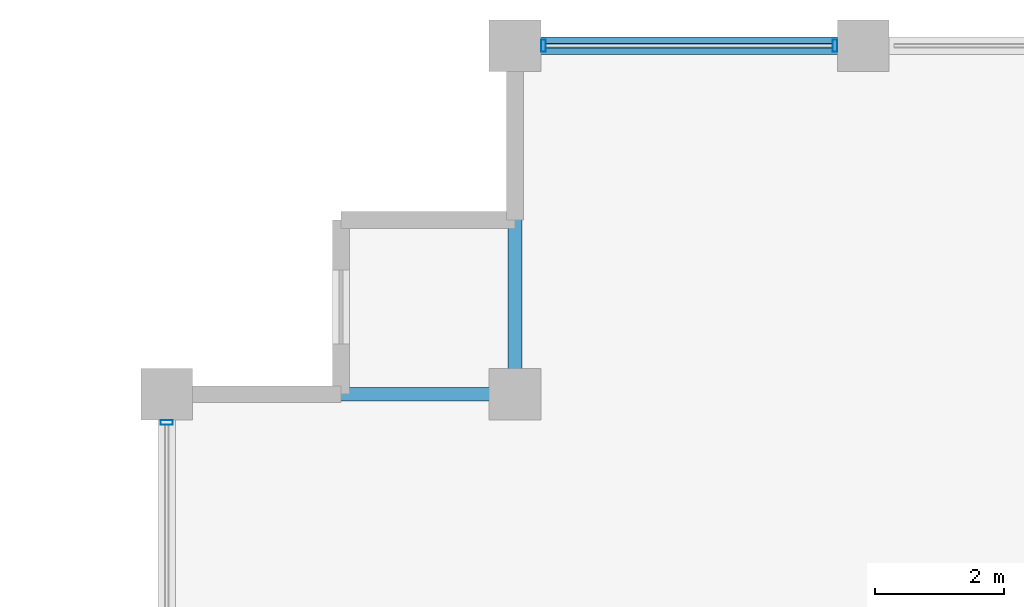
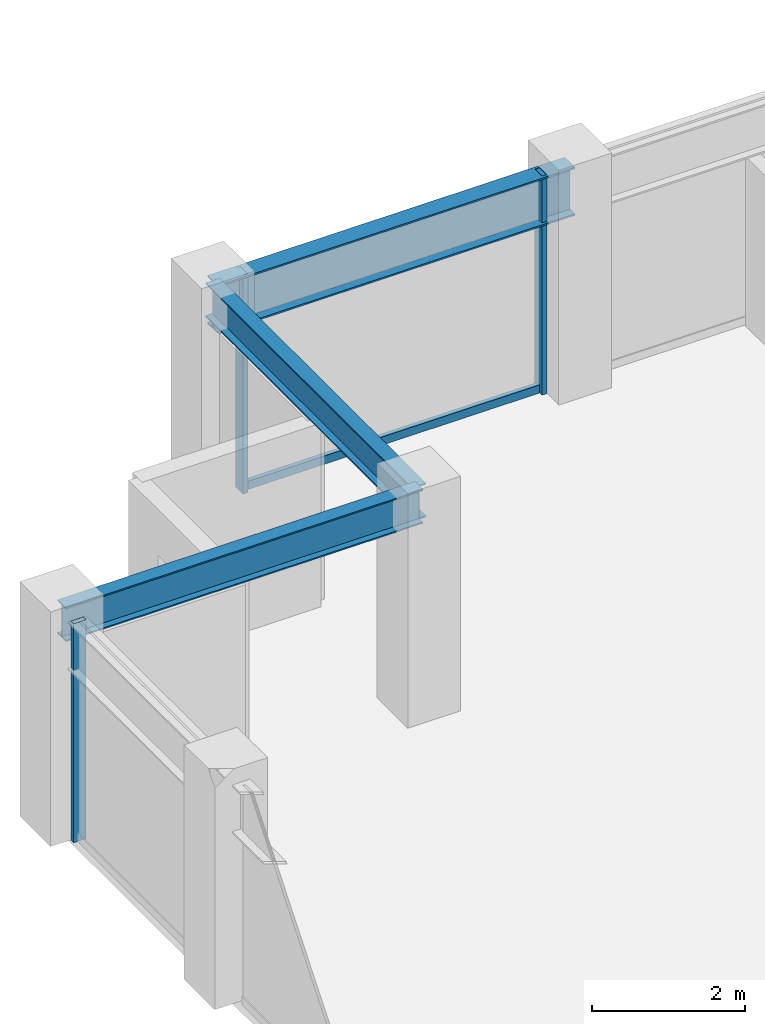
# One storey, part 15 of 28: 4 members, 3 beams, 2 elements without a shape of their own.
"""IFC4 building model written with IfcOpenShell, lengths in metres."""

from ifc_helpers import new_model, si_unit, direction, frame, origin, origin_2d, place, context, subcontext, project, spatial, hollow_rectangle, i_section, extrude, material, layer, layer_set, material_profile, profile_set, type_object, element, aggregate, save


model = new_model("IFC4")

# Units and contexts
model_context = context("Model", 3, precision=1e-05, world=origin(), true_north=direction((0.0, 1.0)))
body_context = subcontext(model_context, "Body", "Model", "MODEL_VIEW")
ifc_project = project(units=[si_unit("LENGTHUNIT", "METRE"), si_unit("AREAUNIT", "SQUARE_METRE"), si_unit("VOLUMEUNIT", "CUBIC_METRE"), si_unit("PLANEANGLEUNIT", "RADIAN"), si_unit("MASSUNIT", "GRAM", prefix="KILO")], contexts=[model_context])

# Site, building, storey
site_placement = place(None, origin())
site = spatial("IfcSite", under=ifc_project, at=site_placement, CompositionType="ELEMENT")
building_placement = place(site_placement, origin())
building = spatial("IfcBuilding", under=site, at=building_placement, Name="Surkhivell Harbour Commons", CompositionType="ELEMENT")
storey_placement = place(building_placement, frame((0.0, 0.0, 246.0)))
storey = spatial("IfcBuildingStorey", under=building, at=storey_placement, Name="L64", CompositionType="ELEMENT", Elevation=246.0)

# Beams
ifc_material_1 = material(Name="Steel S355", Category="steel")
ifc_material_profile_1 = material_profile(ifc_material_1, i_section(OverallWidth=0.2119140625, OverallDepth=0.5439453125, WebThickness=0.0126953125, FlangeThickness=0.021240234375, at=origin_2d()), Name="UB533x210x122")
ifc_profile_set_1 = profile_set([ifc_material_profile_1], Name="Steel S355")
beam_type_1 = type_object("IfcBeamType", Name="BM-GRD-533A", PredefinedType="BEAM", material=ifc_profile_set_1)
for number, where, z_axis, x_axis, name in (
    (1, (-27.0, 20.5, 3.22802734375), (1.0, 0.0, 0.0), (0.0, 1.0, 0.0), "L64 Floor Girder (-27.0,20.5)"),
    (2, (-21.60009765625, 20.5, 3.22802734375), (0.0, 1.0, 0.0), (-1.0, 0.0, 0.0), "L64 Floor Girder (-21.6,20.5)"),
):
    element("IfcBeam", number, at=place(storey_placement, frame(where, z_axis=z_axis, x_axis=x_axis)), inside=storey, type_object=beam_type_1, Name=name, PredefinedType="BEAM", context=body_context, shape_type="SweptSolid", body=[
        extrude(i_section(OverallWidth=0.2119140625, OverallDepth=0.5439453125, WebThickness=0.0126953125, FlangeThickness=0.021240234375, at=origin_2d()), origin(), (0.0, 0.0, 1.0), 5.39990234375),
    ])
ifc_material_profile_2 = material_profile(ifc_material_1, i_section(OverallWidth=0.26806640625, OverallDepth=0.77001953125, WebThickness=0.015625, FlangeThickness=0.025390625, at=origin_2d()), Name="UB762x267x197")
ifc_profile_set_2 = profile_set([ifc_material_profile_2], Name="Steel S355")
beam_type_2 = type_object("IfcBeamType", Name="BM-SPN-762", PredefinedType="SPANDREL", material=ifc_profile_set_2)
beam_placement = place(storey_placement, frame((-21.60009765625, 25.89990234375, 3.114990234375), z_axis=(1.0, 0.0, 0.0), x_axis=(0.0, 1.0, 0.0)))
element("IfcBeam", 3, at=beam_placement, inside=storey, type_object=beam_type_2, Name="L64 Tube Spandrel (-21.6,25.9)", PredefinedType="SPANDREL", context=body_context, shape_type="SweptSolid", body=[
    extrude(i_section(OverallWidth=0.26806640625, OverallDepth=0.77001953125, WebThickness=0.015625, FlangeThickness=0.025390625, at=origin_2d()), origin(), (0.0, 0.0, 1.0), 5.400146484375),
])

# Curtain wall, members
ifc_material_2 = material(Name="Anodised pale-metal aluminium and insulated glazing", Category="aluminium")
ifc_layer = layer(ifc_material_2, 0.18994140625)
ifc_layer_set = layer_set([ifc_layer], Name="Anodised pale-metal aluminium and insulated glazing")
curtain_wall_type = type_object("IfcCurtainWallType", Name="CW-SYS-Z3", PredefinedType="NOTDEFINED", material=ifc_layer_set)
curtain_wall_1_placement = place(storey_placement, origin())
curtain_wall_1 = element("IfcCurtainWall", 4, at=curtain_wall_1_placement, inside=storey, type_object=curtain_wall_type, Name="L64 Curtain Wall CW-L64-E07S2", PredefinedType="NOTDEFINED")
ifc_material_3 = material(Name="Anodised pale-metal aluminium alloy 6063-T6", Category="aluminium")
ifc_material_profile_3 = material_profile(ifc_material_3, hollow_rectangle(XDim=0.074951171875, YDim=0.18994140625, WallThickness=0.00390625, at=origin_2d()), Name="ALU-MULL-75x190")
ifc_profile_set_3 = profile_set([ifc_material_profile_3], Name="Anodised pale-metal aluminium alloy 6063-T6")
member_type_1 = type_object("IfcMemberType", Name="CWM-190", PredefinedType="MULLION", material=ifc_profile_set_3)
member_1_placement = place(storey_placement, frame((-16.639404296875, 25.89990234375, 0.0), z_axis=(0.0, 0.0, 1.0), x_axis=(-1.0, 0.0, 0.0)))
member_1 = element("IfcMember", 5, at=member_1_placement, type_object=member_type_1, Name="CW-Z3 mullion 3", PredefinedType="MULLION", context=body_context, shape_type="SweptSolid", body=[
    extrude(hollow_rectangle(XDim=0.074951171875, YDim=0.18994140625, WallThickness=0.00390625, at=origin_2d()), origin(), (0.0, 0.0, 1.0), 3.5),
])
member_2_placement = place(storey_placement, frame((-21.160400390625, 25.89990234375, 0.0), z_axis=(0.0, 0.0, 1.0), x_axis=(-1.0, 0.0, 0.0)))
member_2 = element("IfcMember", 6, at=member_2_placement, type_object=member_type_1, Name="CW-Z3 mullion 4", PredefinedType="MULLION", context=body_context, shape_type="SweptSolid", body=[
    extrude(hollow_rectangle(XDim=0.074951171875, YDim=0.18994140625, WallThickness=0.00390625, at=origin_2d()), origin(), (0.0, 0.0, 1.0), 3.5),
])

# Curtain wall, member
curtain_wall_2_placement = place(storey_placement, origin())
curtain_wall_2 = element("IfcCurtainWall", 7, at=curtain_wall_2_placement, inside=storey, type_object=curtain_wall_type, Name="L64 Curtain Wall CW-L64-E12R2", PredefinedType="NOTDEFINED")
member_3_placement = place(storey_placement, frame((-27.0, 20.060546875, 0.0), z_axis=(0.0, 0.0, 1.0), x_axis=(0.0, 1.0, 0.0)))
member_3 = element("IfcMember", 8, at=member_3_placement, type_object=member_type_1, Name="CW-Z3 mullion 4", PredefinedType="MULLION", context=body_context, shape_type="SweptSolid", body=[
    extrude(hollow_rectangle(XDim=0.074951171875, YDim=0.18994140625, WallThickness=0.00390625, at=origin_2d()), origin(), (0.0, 0.0, 1.0), 3.5),
])
aggregate(curtain_wall_2, [member_3])

# Member
ifc_material_4 = material(Name="Champagne anodised aluminium alloy 6063-T6", Category="aluminium")
ifc_material_profile_4 = material_profile(ifc_material_4, hollow_rectangle(XDim=0.070068359375, YDim=0.1298828125, WallThickness=0.00341796875, at=origin_2d()), Name="ALU-TRAN-70x130")
ifc_profile_set_4 = profile_set([ifc_material_profile_4], Name="Champagne anodised aluminium alloy 6063-T6")
member_type_2 = type_object("IfcMemberType", Name="CWT-130", PredefinedType="USERDEFINED", material=ifc_profile_set_4)
member_4_placement = place(storey_placement, frame((-16.677001953125, 25.89990234375, 0.06494140625), z_axis=(-1.0, 0.0, 0.0), x_axis=(0.0, -1.0, 0.0)))
member_4 = element("IfcMember", 9, at=member_4_placement, type_object=member_type_2, Name="CW-Z3 transom 3.1", ObjectType="TRANSOM", PredefinedType="USERDEFINED", context=body_context, shape_type="SweptSolid", body=[
    extrude(hollow_rectangle(XDim=0.070068359375, YDim=0.1298828125, WallThickness=0.00341796875, at=origin_2d()), origin(), (0.0, 0.0, 1.0), 4.446044921875),
])

aggregate(curtain_wall_1, [member_1, member_2, member_4])

save(model, "model.ifc")
